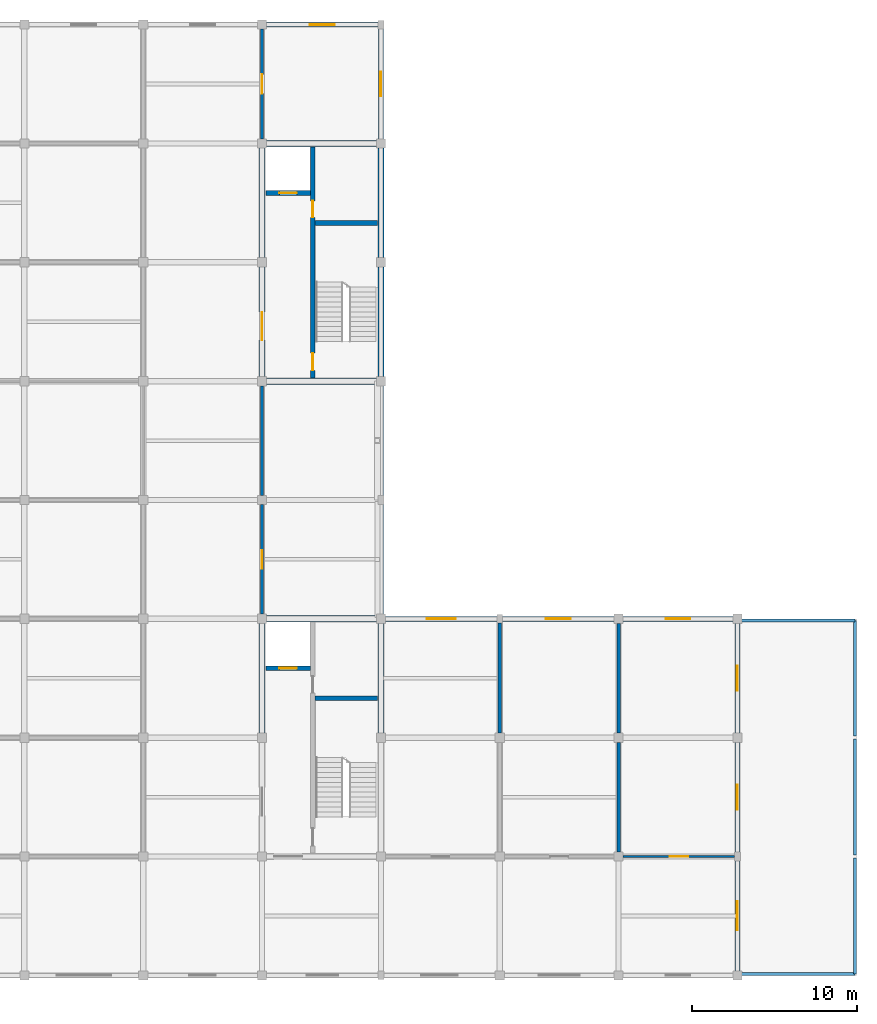
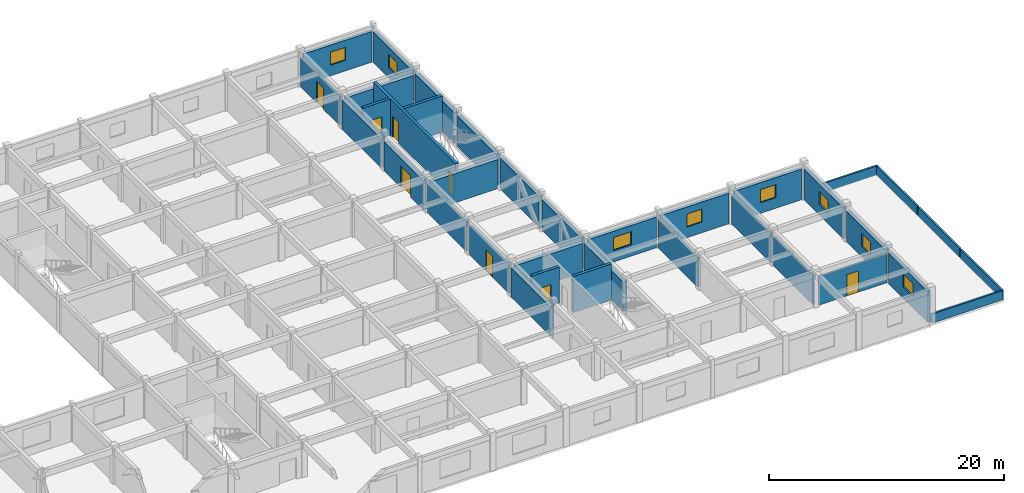
# One storey, part 8 of 10: 36 walls, 8 doors, 8 windows, 16 openings.
"""IFC4 building model written with IfcOpenShell, lengths in metres."""

from ifc_helpers import new_model, si_unit, direction, frame, frame_2d, origin, place, context, subcontext, project, spatial, rectangle, extrude, material, layer, layer_set, type_object, element, fill, save


model = new_model("IFC4")

# Units and contexts
model_context = context("Model", 3, precision=1e-05, world=origin(), true_north=direction((0.0, 1.0)))
body_context = subcontext(model_context, "Body", "Model", "MODEL_VIEW")
ifc_project = project(units=[si_unit("LENGTHUNIT", "METRE"), si_unit("AREAUNIT", "SQUARE_METRE"), si_unit("VOLUMEUNIT", "CUBIC_METRE"), si_unit("PLANEANGLEUNIT", "RADIAN"), si_unit("MASSUNIT", "GRAM", prefix="KILO")], contexts=[model_context])

# Site, building, storey
site_placement = place(None, origin())
site = spatial("IfcSite", under=ifc_project, at=site_placement, CompositionType="ELEMENT")
building_placement = place(site_placement, origin())
building = spatial("IfcBuilding", under=site, at=building_placement, Name="Cendaluz Park School", CompositionType="ELEMENT")
storey_placement = place(building_placement, frame((0.0, 0.0, 34.800048828125)))
storey = spatial("IfcBuildingStorey", under=building, at=storey_placement, Name="L08", CompositionType="ELEMENT", Elevation=34.800048828125)

# Walls
ifc_material_1 = material(Name="Gypsum Plasterboard on Cold-Formed Stud", Category="gypsum")
ifc_layer_1 = layer(ifc_material_1, 0.199951171875)
ifc_layer_set_1 = layer_set([ifc_layer_1], Name="Gypsum Plasterboard on Cold-Formed Stud")
wall_type_1 = type_object("IfcWallType", Name="W-AC20", PredefinedType="PARTITIONING", material=ifc_layer_set_1)
wall_1_placement = place(storey_placement, frame((115.199951171875, 21.8798828125, 0.0), z_axis=(0.0, 0.0, 1.0), x_axis=(0.0, 1.0, 0.0)))
element("IfcWall", 1, at=wall_1_placement, inside=storey, type_object=wall_type_1, Name="WL-FI-BN1", PredefinedType="PARTITIONING", context=body_context, shape_type="SweptSolid", body=[
    extrude(rectangle(XDim=6.66015625, YDim=0.199951171875, at=frame_2d((3.330078125, 0.0))), origin(), (0.0, 0.0, 1.0), 3.030029296875),
])
for number, where, z_axis, x_axis, name in (
    (2, (122.39990234375, 14.679931640625, 0.0), (0.0, 0.0, 1.0), (0.0, 1.0, 0.0), "WL-FI-BN3"),
    (3, (122.39990234375, 21.8798828125, 0.0), (0.0, 0.0, 1.0), (0.0, 1.0, 0.0), "WL-FI-BN4"),
):
    element("IfcWall", number, at=place(storey_placement, frame(where, z_axis=z_axis, x_axis=x_axis)), inside=storey, type_object=wall_type_1, Name=name, PredefinedType="PARTITIONING", context=body_context, shape_type="SweptSolid", body=[
        extrude(rectangle(XDim=6.64013671875, YDim=0.199951171875, at=frame_2d((3.320068359375, 0.0))), origin(), (0.0, 0.0, 1.0), 3.030029296875),
    ])

# Wall, opening, door
wall_2_placement = place(storey_placement, frame((100.800048828125, 29.080078125, 0.0), z_axis=(0.0, 0.0, 1.0), x_axis=(0.0, 1.0, 0.0)))
wall_2 = element("IfcWall", 4, at=wall_2_placement, inside=storey, type_object=wall_type_1, Name="WL-FI-BQ7", PredefinedType="PARTITIONING", context=body_context, shape_type="SweptSolid", body=[
    extrude(rectangle(XDim=6.639892578125, YDim=0.199951171875, at=frame_2d((3.31982421875, 0.0))), origin(), (0.0, 0.0, 1.0), 3.030029296875),
])
opening_1_placement = place(wall_2_placement, frame((2.760009765625, 0.0, 0.0)))
opening_1 = element("IfcOpeningElement", 5, at=opening_1_placement, cuts=wall_2, Name="Opening DCL-06", PredefinedType="OPENING", context=body_context, shape_type="SweptSolid", body=[
    extrude(rectangle(XDim=1.1201171875, YDim=2.199951171875, at=frame_2d((0.56005859375, 1.10009765625))), frame((0.0, 0.112060546875, 0.0), z_axis=(0.0, -1.0, 0.0), x_axis=(1.0, 0.0, 0.0)), (0.0, 0.0, 1.0), 0.223876953125),
])
ifc_material_2 = material(Name="Solid Core Hardwood", Category="wood")
door_type_1 = type_object("IfcDoorType", Name="DCL-06", OperationType="NOTDEFINED", PredefinedType="DOOR", material=ifc_material_2)
door_1_placement = place(opening_1_placement, frame((1.1201171875, 0.0, 0.0), z_axis=(0.0, 0.0, 1.0), x_axis=(-1.0, 0.0, 0.0)))
door_1 = element("IfcDoor", 6, at=door_1_placement, inside=storey, type_object=door_type_1, Name="D-L08-035", OperationType="SINGLE_SWING_RIGHT", OverallHeight=2.199951171875, OverallWidth=1.1201171875, PredefinedType="DOOR", context=body_context, shape_type="SweptSolid", body=[
    extrude(rectangle(XDim=1.1201171875, YDim=2.199951171875, at=frame_2d((0.56005859375, 1.10009765625))), frame((0.0, 0.02490234375, 0.0), z_axis=(0.0, -1.0, 0.0), x_axis=(1.0, 0.0, 0.0)), (0.0, 0.0, 1.0), 0.050048828125),
])
fill(opening_1, door_1)

# Wall
wall_3_placement = place(storey_placement, frame((100.800048828125, 36.280029296875, 0.0), z_axis=(0.0, 0.0, 1.0), x_axis=(0.0, 1.0, 0.0)))
element("IfcWall", 7, at=wall_3_placement, inside=storey, type_object=wall_type_1, Name="WL-FI-BQ8", PredefinedType="PARTITIONING", context=body_context, shape_type="SweptSolid", body=[
    extrude(rectangle(XDim=6.639892578125, YDim=0.199951171875, at=frame_2d((3.31982421875, 0.0))), origin(), (0.0, 0.0, 1.0), 3.030029296875),
])

# Wall, opening, door
wall_4_placement = place(storey_placement, frame((100.800048828125, 57.8798828125, 0.0), z_axis=(0.0, 0.0, 1.0), x_axis=(0.0, 1.0, 0.0)))
wall_4 = element("IfcWall", 8, at=wall_4_placement, inside=storey, type_object=wall_type_1, Name="WL-FI-BQ9", PredefinedType="PARTITIONING", context=body_context, shape_type="SweptSolid", body=[
    extrude(rectangle(XDim=6.64013671875, YDim=0.199951171875, at=frame_2d((3.320068359375, 0.0))), origin(), (0.0, 0.0, 1.0), 3.030029296875),
])
opening_2_placement = place(wall_4_placement, frame((2.739990234375, 0.0, 0.0)))
opening_2 = element("IfcOpeningElement", 9, at=opening_2_placement, cuts=wall_4, Name="Opening DCL-07", PredefinedType="OPENING", context=body_context, shape_type="SweptSolid", body=[
    extrude(rectangle(XDim=1.159912109375, YDim=2.219970703125, at=frame_2d((0.580078125, 1.10986328125))), frame((0.0, 0.112060546875, 0.0), z_axis=(0.0, -1.0, 0.0), x_axis=(1.0, 0.0, 0.0)), (0.0, 0.0, 1.0), 0.223876953125),
])
door_type_2 = type_object("IfcDoorType", Name="DCL-07", OperationType="NOTDEFINED", PredefinedType="DOOR", material=ifc_material_2)
door_2_placement = place(opening_2_placement, frame((1.159912109375, 0.0, 0.0), z_axis=(0.0, 0.0, 1.0), x_axis=(-1.0, 0.0, 0.0)))
door_2 = element("IfcDoor", 10, at=door_2_placement, inside=storey, type_object=door_type_2, Name="D-L08-036", OperationType="SINGLE_SWING_LEFT", OverallHeight=2.219970703125, OverallWidth=1.159912109375, PredefinedType="DOOR", context=body_context, shape_type="SweptSolid", body=[
    extrude(rectangle(XDim=1.159912109375, YDim=2.219970703125, at=frame_2d((0.580078125, 1.10986328125))), frame((0.0, 0.02490234375, 0.0), z_axis=(0.0, -1.0, 0.0), x_axis=(1.0, 0.0, 0.0)), (0.0, 0.0, 1.0), 0.050048828125),
])
fill(opening_2, door_2)

# Walls
ifc_material_3 = material(Name="Cross-laminated timber CLT C24", Category="wood")
ifc_layer_2 = layer(ifc_material_3, 0.300048828125)
ifc_layer_set_2 = layer_set([ifc_layer_2], Name="Cross-laminated timber CLT C24")
wall_type_2 = type_object("IfcWallType", Name="W-EX30", PredefinedType="SOLIDWALL", material=ifc_layer_set_2)
for number, where, z_axis, x_axis, name in (
    (11, (108.0, 29.080078125, 0.0), (0.0, 0.0, 1.0), (0.0, 1.0, 0.0), "WL-FI-AC5"),
    (12, (108.0, 36.260009765625, 0.0), (0.0, 0.0, 1.0), (0.0, 1.0, 0.0), "WL-FI-AC6"),
):
    element("IfcWall", number, at=place(storey_placement, frame(where, z_axis=z_axis, x_axis=x_axis)), inside=storey, type_object=wall_type_2, Name=name, PredefinedType="SOLIDWALL", context=body_context, shape_type="SweptSolid", body=[
        extrude(rectangle(XDim=6.659912109375, YDim=0.300048828125, at=frame_2d((3.330078125, 0.0))), origin(), (0.0, 0.0, 1.0), 3.18994140625),
    ])

# Wall, opening, window
wall_5_placement = place(storey_placement, frame((101.080078125, 64.800048828125, 0.0), z_axis=(0.0, 0.0, 1.0), x_axis=(1.0, 0.0, 0.0)))
wall_5 = element("IfcWall", 13, at=wall_5_placement, inside=storey, type_object=wall_type_2, Name="WL-FI-AC7", PredefinedType="SOLIDWALL", context=body_context, shape_type="SweptSolid", body=[
    extrude(rectangle(XDim=6.739990234375, YDim=0.300048828125, at=frame_2d((3.3701171875, 0.0))), origin(), (0.0, 0.0, 1.0), 3.18994140625),
])
opening_3_placement = place(wall_5_placement, frame((2.6201171875, 0.0, 1.10009765625)))
opening_3 = element("IfcOpeningElement", 14, at=opening_3_placement, cuts=wall_5, Name="Opening WN-20", PredefinedType="OPENING", context=body_context, shape_type="SweptSolid", body=[
    extrude(rectangle(XDim=1.5, YDim=1.35009765625, at=frame_2d((0.75, 0.675048828125))), frame((0.0, 0.162109375, 0.0), z_axis=(0.0, -1.0, 0.0), x_axis=(1.0, 0.0, 0.0)), (0.0, 0.0, 1.0), 0.323974609375),
])
ifc_material_4 = material(Name="Tempered Low-E Double Glazing", Category="glass")
window_type_1 = type_object("IfcWindowType", Name="WN-20", PartitioningType="SINGLE_PANEL", PredefinedType="WINDOW", material=ifc_material_4)
window_1_placement = place(opening_3_placement, origin())
window_1 = element("IfcWindow", 15, at=window_1_placement, inside=storey, type_object=window_type_1, Name="WN-L08-024", OverallHeight=1.35009765625, OverallWidth=1.5, PartitioningType="SINGLE_PANEL", PredefinedType="WINDOW", context=body_context, shape_type="SweptSolid", body=[
    extrude(rectangle(XDim=1.5, YDim=1.35009765625, at=frame_2d((0.75, 0.675048828125))), frame((0.0, 0.030029296875, 0.0), z_axis=(0.0, -1.0, 0.0), x_axis=(1.0, 0.0, 0.0)), (0.0, 0.0, 1.0), 0.06005859375),
])
fill(opening_3, window_1)

wall_6_placement = place(storey_placement, frame((108.0, 57.8798828125, 0.0), z_axis=(0.0, 0.0, 1.0), x_axis=(0.0, 1.0, 0.0)))
wall_6 = element("IfcWall", 16, at=wall_6_placement, inside=storey, type_object=wall_type_2, Name="WL-FI-AC8", PredefinedType="SOLIDWALL", context=body_context, shape_type="SweptSolid", body=[
    extrude(rectangle(XDim=6.66015625, YDim=0.300048828125, at=frame_2d((3.330078125, 0.0))), origin(), (0.0, 0.0, 1.0), 3.18994140625),
])
opening_4_placement = place(wall_6_placement, frame((2.580078125, 0.0, 1.10009765625)))
opening_4 = element("IfcOpeningElement", 17, at=opening_4_placement, cuts=wall_6, Name="Opening WN-20", PredefinedType="OPENING", context=body_context, shape_type="SweptSolid", body=[
    extrude(rectangle(XDim=1.5, YDim=1.35009765625, at=frame_2d((0.75, 0.675048828125))), frame((0.0, 0.162109375, 0.0), z_axis=(0.0, -1.0, 0.0), x_axis=(1.0, 0.0, 0.0)), (0.0, 0.0, 1.0), 0.323974609375),
])
window_2_placement = place(opening_4_placement, origin())
window_2 = element("IfcWindow", 18, at=window_2_placement, inside=storey, type_object=window_type_1, Name="WN-L08-025", OverallHeight=1.35009765625, OverallWidth=1.5, PartitioningType="SINGLE_PANEL", PredefinedType="WINDOW", context=body_context, shape_type="SweptSolid", body=[
    extrude(rectangle(XDim=1.5, YDim=1.35009765625, at=frame_2d((0.75, 0.675048828125))), frame((0.0, 0.030029296875, 0.0), z_axis=(0.0, -1.0, 0.0), x_axis=(1.0, 0.0, 0.0)), (0.0, 0.0, 1.0), 0.06005859375),
])
fill(opening_4, window_2)

wall_7_placement = place(storey_placement, frame((108.280029296875, 28.800048828125, 0.0), z_axis=(0.0, 0.0, 1.0), x_axis=(1.0, 0.0, 0.0)))
wall_7 = element("IfcWall", 19, at=wall_7_placement, inside=storey, type_object=wall_type_2, Name="WL-FI-AD0", PredefinedType="SOLIDWALL", context=body_context, shape_type="SweptSolid", body=[
    extrude(rectangle(XDim=6.739990234375, YDim=0.300048828125, at=frame_2d((3.3701171875, 0.0))), origin(), (0.0, 0.0, 1.0), 3.18994140625),
])
opening_5_placement = place(wall_7_placement, frame((2.4951171875, 0.0, 1.199951171875)))
opening_5 = element("IfcOpeningElement", 20, at=opening_5_placement, cuts=wall_7, Name="Opening WN-21", PredefinedType="OPENING", context=body_context, shape_type="SweptSolid", body=[
    extrude(rectangle(XDim=1.75, YDim=1.35009765625, at=frame_2d((0.875, 0.675048828125))), frame((0.0, 0.162109375, 0.0), z_axis=(0.0, -1.0, 0.0), x_axis=(1.0, 0.0, 0.0)), (0.0, 0.0, 1.0), 0.323974609375),
])
window_type_2 = type_object("IfcWindowType", Name="WN-21", PartitioningType="SINGLE_PANEL", PredefinedType="WINDOW", material=ifc_material_4)
window_3_placement = place(opening_5_placement, origin())
window_3 = element("IfcWindow", 21, at=window_3_placement, inside=storey, type_object=window_type_2, Name="WN-L08-027", OverallHeight=1.35009765625, OverallWidth=1.75, PartitioningType="SINGLE_PANEL", PredefinedType="WINDOW", context=body_context, shape_type="SweptSolid", body=[
    extrude(rectangle(XDim=1.75, YDim=1.35009765625, at=frame_2d((0.875, 0.675048828125))), frame((0.0, 0.030029296875, 0.0), z_axis=(0.0, -1.0, 0.0), x_axis=(1.0, 0.0, 0.0)), (0.0, 0.0, 1.0), 0.06005859375),
])
fill(opening_5, window_3)

wall_8_placement = place(storey_placement, frame((115.3798828125, 28.800048828125, 0.0), z_axis=(0.0, 0.0, 1.0), x_axis=(1.0, 0.0, 0.0)))
wall_8 = element("IfcWall", 22, at=wall_8_placement, inside=storey, type_object=wall_type_2, Name="WL-FI-AD2", PredefinedType="SOLIDWALL", context=body_context, shape_type="SweptSolid", body=[
    extrude(rectangle(XDim=6.740234375, YDim=0.300048828125, at=frame_2d((3.3701171875, 0.0))), origin(), (0.0, 0.0, 1.0), 3.18994140625),
])
opening_6_placement = place(wall_8_placement, frame((2.6201171875, 0.0, 1.10009765625)))
opening_6 = element("IfcOpeningElement", 23, at=opening_6_placement, cuts=wall_8, Name="Opening WN-20", PredefinedType="OPENING", context=body_context, shape_type="SweptSolid", body=[
    extrude(rectangle(XDim=1.5, YDim=1.35009765625, at=frame_2d((0.75, 0.675048828125))), frame((0.0, 0.162109375, 0.0), z_axis=(0.0, -1.0, 0.0), x_axis=(1.0, 0.0, 0.0)), (0.0, 0.0, 1.0), 0.323974609375),
])
window_4_placement = place(opening_6_placement, origin())
window_4 = element("IfcWindow", 24, at=window_4_placement, inside=storey, type_object=window_type_1, Name="WN-L08-029", OverallHeight=1.35009765625, OverallWidth=1.5, PartitioningType="SINGLE_PANEL", PredefinedType="WINDOW", context=body_context, shape_type="SweptSolid", body=[
    extrude(rectangle(XDim=1.5, YDim=1.35009765625, at=frame_2d((0.75, 0.675048828125))), frame((0.0, 0.030029296875, 0.0), z_axis=(0.0, -1.0, 0.0), x_axis=(1.0, 0.0, 0.0)), (0.0, 0.0, 1.0), 0.06005859375),
])
fill(opening_6, window_4)

wall_9_placement = place(storey_placement, frame((129.60009765625, 7.47998046875, 0.0), z_axis=(0.0, 0.0, 1.0), x_axis=(0.0, 1.0, 0.0)))
wall_9 = element("IfcWall", 25, at=wall_9_placement, inside=storey, type_object=wall_type_2, Name="WL-FI-AD4", PredefinedType="SOLIDWALL", context=body_context, shape_type="SweptSolid", body=[
    extrude(rectangle(XDim=6.659912109375, YDim=0.300048828125, at=frame_2d((3.330078125, 0.0))), origin(), (0.0, 0.0, 1.0), 3.18994140625),
])
opening_7_placement = place(wall_9_placement, frame((2.455078125, 0.0, 1.199951171875)))
opening_7 = element("IfcOpeningElement", 26, at=opening_7_placement, cuts=wall_9, Name="Opening WN-21", PredefinedType="OPENING", context=body_context, shape_type="SweptSolid", body=[
    extrude(rectangle(XDim=1.75, YDim=1.35009765625, at=frame_2d((0.875, 0.675048828125))), frame((0.0, 0.162109375, 0.0), z_axis=(0.0, -1.0, 0.0), x_axis=(1.0, 0.0, 0.0)), (0.0, 0.0, 1.0), 0.323974609375),
])
window_5_placement = place(opening_7_placement, origin())
window_5 = element("IfcWindow", 27, at=window_5_placement, inside=storey, type_object=window_type_2, Name="WN-L08-031", OverallHeight=1.35009765625, OverallWidth=1.75, PartitioningType="SINGLE_PANEL", PredefinedType="WINDOW", context=body_context, shape_type="SweptSolid", body=[
    extrude(rectangle(XDim=1.75, YDim=1.35009765625, at=frame_2d((0.875, 0.675048828125))), frame((0.0, 0.030029296875, 0.0), z_axis=(0.0, -1.0, 0.0), x_axis=(1.0, 0.0, 0.0)), (0.0, 0.0, 1.0), 0.06005859375),
])
fill(opening_7, window_5)

wall_10_placement = place(storey_placement, frame((129.60009765625, 14.659912109375, 0.0), z_axis=(0.0, 0.0, 1.0), x_axis=(0.0, 1.0, 0.0)))
wall_10 = element("IfcWall", 28, at=wall_10_placement, inside=storey, type_object=wall_type_2, Name="WL-FI-AD5", PredefinedType="SOLIDWALL", context=body_context, shape_type="SweptSolid", body=[
    extrude(rectangle(XDim=6.66015625, YDim=0.300048828125, at=frame_2d((3.330078125, 0.0))), origin(), (0.0, 0.0, 1.0), 3.18994140625),
])
opening_8_placement = place(wall_10_placement, frame((2.580078125, 0.0, 1.10009765625)))
opening_8 = element("IfcOpeningElement", 29, at=opening_8_placement, cuts=wall_10, Name="Opening WN-20", PredefinedType="OPENING", context=body_context, shape_type="SweptSolid", body=[
    extrude(rectangle(XDim=1.5, YDim=1.35009765625, at=frame_2d((0.75, 0.675048828125))), frame((0.0, 0.162109375, 0.0), z_axis=(0.0, -1.0, 0.0), x_axis=(1.0, 0.0, 0.0)), (0.0, 0.0, 1.0), 0.323974609375),
])
window_6_placement = place(opening_8_placement, origin())
window_6 = element("IfcWindow", 30, at=window_6_placement, inside=storey, type_object=window_type_1, Name="WN-L08-032", OverallHeight=1.35009765625, OverallWidth=1.5, PartitioningType="SINGLE_PANEL", PredefinedType="WINDOW", context=body_context, shape_type="SweptSolid", body=[
    extrude(rectangle(XDim=1.5, YDim=1.35009765625, at=frame_2d((0.75, 0.675048828125))), frame((0.0, 0.030029296875, 0.0), z_axis=(0.0, -1.0, 0.0), x_axis=(1.0, 0.0, 0.0)), (0.0, 0.0, 1.0), 0.06005859375),
])
fill(opening_8, window_6)

wall_11_placement = place(storey_placement, frame((122.679931640625, 28.800048828125, 0.0), z_axis=(0.0, 0.0, 1.0), x_axis=(1.0, 0.0, 0.0)))
wall_11 = element("IfcWall", 31, at=wall_11_placement, inside=storey, type_object=wall_type_2, Name="WL-FI-AD6", PredefinedType="SOLIDWALL", context=body_context, shape_type="SweptSolid", body=[
    extrude(rectangle(XDim=6.64013671875, YDim=0.300048828125, at=frame_2d((3.320068359375, 0.0))), origin(), (0.0, 0.0, 1.0), 3.18994140625),
])
opening_9_placement = place(wall_11_placement, frame((2.570068359375, 0.0, 1.10009765625)))
opening_9 = element("IfcOpeningElement", 32, at=opening_9_placement, cuts=wall_11, Name="Opening WN-20", PredefinedType="OPENING", context=body_context, shape_type="SweptSolid", body=[
    extrude(rectangle(XDim=1.5, YDim=1.35009765625, at=frame_2d((0.75, 0.675048828125))), frame((0.0, 0.162109375, 0.0), z_axis=(0.0, -1.0, 0.0), x_axis=(1.0, 0.0, 0.0)), (0.0, 0.0, 1.0), 0.323974609375),
])
window_7_placement = place(opening_9_placement, origin())
window_7 = element("IfcWindow", 33, at=window_7_placement, inside=storey, type_object=window_type_1, Name="WN-L08-033", OverallHeight=1.35009765625, OverallWidth=1.5, PartitioningType="SINGLE_PANEL", PredefinedType="WINDOW", context=body_context, shape_type="SweptSolid", body=[
    extrude(rectangle(XDim=1.5, YDim=1.35009765625, at=frame_2d((0.75, 0.675048828125))), frame((0.0, 0.030029296875, 0.0), z_axis=(0.0, -1.0, 0.0), x_axis=(1.0, 0.0, 0.0)), (0.0, 0.0, 1.0), 0.06005859375),
])
fill(opening_9, window_7)

wall_12_placement = place(storey_placement, frame((129.60009765625, 21.8798828125, 0.0), z_axis=(0.0, 0.0, 1.0), x_axis=(0.0, 1.0, 0.0)))
wall_12 = element("IfcWall", 34, at=wall_12_placement, inside=storey, type_object=wall_type_2, Name="WL-FI-AD7", PredefinedType="SOLIDWALL", context=body_context, shape_type="SweptSolid", body=[
    extrude(rectangle(XDim=6.64013671875, YDim=0.300048828125, at=frame_2d((3.320068359375, 0.0))), origin(), (0.0, 0.0, 1.0), 3.18994140625),
])
opening_10_placement = place(wall_12_placement, frame((2.570068359375, 0.0, 1.10009765625)))
opening_10 = element("IfcOpeningElement", 35, at=opening_10_placement, cuts=wall_12, Name="Opening WN-20", PredefinedType="OPENING", context=body_context, shape_type="SweptSolid", body=[
    extrude(rectangle(XDim=1.5, YDim=1.35009765625, at=frame_2d((0.75, 0.675048828125))), frame((0.0, 0.162109375, 0.0), z_axis=(0.0, -1.0, 0.0), x_axis=(1.0, 0.0, 0.0)), (0.0, 0.0, 1.0), 0.323974609375),
])
window_8_placement = place(opening_10_placement, origin())
window_8 = element("IfcWindow", 36, at=window_8_placement, inside=storey, type_object=window_type_1, Name="WN-L08-034", OverallHeight=1.35009765625, OverallWidth=1.5, PartitioningType="SINGLE_PANEL", PredefinedType="WINDOW", context=body_context, shape_type="SweptSolid", body=[
    extrude(rectangle(XDim=1.5, YDim=1.35009765625, at=frame_2d((0.75, 0.675048828125))), frame((0.0, 0.030029296875, 0.0), z_axis=(0.0, -1.0, 0.0), x_axis=(1.0, 0.0, 0.0)), (0.0, 0.0, 1.0), 0.06005859375),
])
fill(opening_10, window_8)

# Wall
ifc_material_5 = material(Name="Concrete C40/50", Category="concrete")
ifc_layer_3 = layer(ifc_material_5, 0.280029296875)
ifc_layer_set_3 = layer_set([ifc_layer_3], Name="Concrete C40/50")
wall_type_3 = type_object("IfcWallType", Name="W-FW28", PredefinedType="SHEAR", material=ifc_layer_set_3)
wall_13_placement = place(storey_placement, frame((104.02001953125, 23.97998046875, 0.0), z_axis=(0.0, 0.0, 1.0), x_axis=(1.0, 0.0, 0.0)))
element("IfcWall", 37, at=wall_13_placement, inside=storey, type_object=wall_type_3, Name="WL-FI-BJ9", PredefinedType="SHEAR", context=body_context, shape_type="SweptSolid", body=[
    extrude(rectangle(XDim=3.780029296875, YDim=0.280029296875, at=frame_2d((1.89013671875, 0.0))), origin(), (0.0, 0.0, 1.0), 3.760009765625),
])

# Wall, opening, door
wall_14_placement = place(storey_placement, frame((101.0400390625, 25.800048828125, 0.0), z_axis=(0.0, 0.0, 1.0), x_axis=(1.0, 0.0, 0.0)))
wall_14 = element("IfcWall", 38, at=wall_14_placement, inside=storey, type_object=wall_type_3, Name="WL-FI-BK0", PredefinedType="SHEAR", context=body_context, shape_type="SweptSolid", body=[
    extrude(rectangle(XDim=2.679931640625, YDim=0.280029296875, at=frame_2d((1.33984375, 0.0))), origin(), (0.0, 0.0, 1.0), 3.760009765625),
])
opening_11_placement = place(wall_14_placement, frame((0.81494140625, 0.0, 0.0)))
opening_11 = element("IfcOpeningElement", 39, at=opening_11_placement, cuts=wall_14, Name="Opening LD-02", PredefinedType="OPENING", context=body_context, shape_type="SweptSolid", body=[
    extrude(rectangle(XDim=1.050048828125, YDim=2.199951171875, at=frame_2d((0.52490234375, 1.10009765625))), frame((0.0, 0.152099609375, 0.0), z_axis=(0.0, -1.0, 0.0), x_axis=(1.0, 0.0, 0.0)), (0.0, 0.0, 1.0), 0.303955078125),
])
ifc_material_6 = material(Name="Stainless Steel 316L", Category="steel")
door_type_3 = type_object("IfcDoorType", Name="LD-02", OperationType="DOUBLE_DOOR_SLIDING", PredefinedType="DOOR", material=ifc_material_6)
door_3_placement = place(opening_11_placement, frame((1.050048828125, 0.0, 0.0), z_axis=(0.0, 0.0, 1.0), x_axis=(-1.0, 0.0, 0.0)))
door_3 = element("IfcDoor", 40, at=door_3_placement, inside=storey, type_object=door_type_3, Name="D-L08-010", OperationType="DOUBLE_DOOR_SLIDING", OverallHeight=2.199951171875, OverallWidth=1.050048828125, PredefinedType="DOOR", context=body_context, shape_type="SweptSolid", body=[
    extrude(rectangle(XDim=1.050048828125, YDim=2.199951171875, at=frame_2d((0.52490234375, 1.10009765625))), frame((0.0, 0.02490234375, 0.0), z_axis=(0.0, -1.0, 0.0), x_axis=(1.0, 0.0, 0.0)), (0.0, 0.0, 1.0), 0.050048828125),
])
fill(opening_11, door_3)

# Wall, openings, doors
wall_15_placement = place(storey_placement, frame((103.8798828125, 43.39990234375, 0.0), z_axis=(0.0, 0.0, 1.0), x_axis=(0.0, 1.0, 0.0)))
wall_15 = element("IfcWall", 41, at=wall_15_placement, inside=storey, type_object=wall_type_3, Name="WL-FI-BL6", PredefinedType="SHEAR", context=body_context, shape_type="SweptSolid", body=[
    extrude(rectangle(XDim=14.0, YDim=0.280029296875, at=frame_2d((7.0, 0.0))), origin(), (0.0, 0.0, 1.0), 3.760009765625),
])
opening_12_placement = place(wall_15_placement, frame((0.449951171875, 0.0, 0.0)))
opening_12 = element("IfcOpeningElement", 42, at=opening_12_placement, cuts=wall_15, Name="Opening DST-02", PredefinedType="OPENING", context=body_context, shape_type="SweptSolid", body=[
    extrude(rectangle(XDim=1.050048828125, YDim=2.14990234375, at=frame_2d((0.52490234375, 1.074951171875))), frame((0.0, 0.152099609375, 0.0), z_axis=(0.0, -1.0, 0.0), x_axis=(1.0, 0.0, 0.0)), (0.0, 0.0, 1.0), 0.303955078125),
])
opening_13_placement = place(wall_15_placement, frame((9.719970703125, 0.0, 0.0)))
opening_13 = element("IfcOpeningElement", 43, at=opening_13_placement, cuts=wall_15, Name="Opening DFC-01", PredefinedType="OPENING", context=body_context, shape_type="SweptSolid", body=[
    extrude(rectangle(XDim=1.0, YDim=2.14990234375, at=frame_2d((0.5, 1.074951171875))), frame((0.0, 0.152099609375, 0.0), z_axis=(0.0, -1.0, 0.0), x_axis=(1.0, 0.0, 0.0)), (0.0, 0.0, 1.0), 0.303955078125),
])
door_type_4 = type_object("IfcDoorType", Name="DFC-01", OperationType="NOTDEFINED", PredefinedType="DOOR", material=ifc_material_2)
door_4_placement = place(opening_13_placement, frame((1.0, 0.0, 0.0), z_axis=(0.0, 0.0, 1.0), x_axis=(-1.0, 0.0, 0.0)))
door_4 = element("IfcDoor", 44, at=door_4_placement, inside=storey, type_object=door_type_4, Name="D-L08-017", OperationType="SINGLE_SWING_RIGHT", OverallHeight=2.14990234375, OverallWidth=1.0, PredefinedType="DOOR", context=body_context, shape_type="SweptSolid", body=[
    extrude(rectangle(XDim=1.0, YDim=2.14990234375, at=frame_2d((0.5, 1.074951171875))), frame((0.0, 0.02490234375, 0.0), z_axis=(0.0, -1.0, 0.0), x_axis=(1.0, 0.0, 0.0)), (0.0, 0.0, 1.0), 0.050048828125),
])
fill(opening_13, door_4)
door_type_5 = type_object("IfcDoorType", Name="DST-02", OperationType="NOTDEFINED", PredefinedType="DOOR", material=ifc_material_2)
door_5_placement = place(opening_12_placement, frame((1.050048828125, 0.0, 0.0), z_axis=(0.0, 0.0, 1.0), x_axis=(-1.0, 0.0, 0.0)))
door_5 = element("IfcDoor", 45, at=door_5_placement, inside=storey, type_object=door_type_5, Name="D-L08-016", OperationType="SINGLE_SWING_RIGHT", OverallHeight=2.14990234375, OverallWidth=1.050048828125, PredefinedType="DOOR", context=body_context, shape_type="SweptSolid", body=[
    extrude(rectangle(XDim=1.050048828125, YDim=2.14990234375, at=frame_2d((0.52490234375, 1.074951171875))), frame((0.0, 0.02490234375, 0.0), z_axis=(0.0, -1.0, 0.0), x_axis=(1.0, 0.0, 0.0)), (0.0, 0.0, 1.0), 0.050048828125),
])
fill(opening_12, door_5)

# Wall
wall_16_placement = place(storey_placement, frame((104.02001953125, 52.780029296875, 0.0), z_axis=(0.0, 0.0, 1.0), x_axis=(1.0, 0.0, 0.0)))
element("IfcWall", 46, at=wall_16_placement, inside=storey, type_object=wall_type_3, Name="WL-FI-BL7", PredefinedType="SHEAR", context=body_context, shape_type="SweptSolid", body=[
    extrude(rectangle(XDim=3.780029296875, YDim=0.280029296875, at=frame_2d((1.89013671875, 0.0))), origin(), (0.0, 0.0, 1.0), 3.760009765625),
])

# Wall, opening, door
wall_17_placement = place(storey_placement, frame((101.0400390625, 54.60009765625, 0.0), z_axis=(0.0, 0.0, 1.0), x_axis=(1.0, 0.0, 0.0)))
wall_17 = element("IfcWall", 47, at=wall_17_placement, inside=storey, type_object=wall_type_3, Name="WL-FI-BL8", PredefinedType="SHEAR", context=body_context, shape_type="SweptSolid", body=[
    extrude(rectangle(XDim=2.679931640625, YDim=0.280029296875, at=frame_2d((1.33984375, 0.0))), origin(), (0.0, 0.0, 1.0), 3.760009765625),
])
opening_14_placement = place(wall_17_placement, frame((0.81494140625, 0.0, 0.0)))
opening_14 = element("IfcOpeningElement", 48, at=opening_14_placement, cuts=wall_17, Name="Opening LD-02", PredefinedType="OPENING", context=body_context, shape_type="SweptSolid", body=[
    extrude(rectangle(XDim=1.050048828125, YDim=2.199951171875, at=frame_2d((0.52490234375, 1.10009765625))), frame((0.0, 0.152099609375, 0.0), z_axis=(0.0, -1.0, 0.0), x_axis=(1.0, 0.0, 0.0)), (0.0, 0.0, 1.0), 0.303955078125),
])
door_6_placement = place(opening_14_placement, frame((1.050048828125, 0.0, 0.0), z_axis=(0.0, 0.0, 1.0), x_axis=(-1.0, 0.0, 0.0)))
door_6 = element("IfcDoor", 49, at=door_6_placement, inside=storey, type_object=door_type_3, Name="D-L08-018", OperationType="DOUBLE_DOOR_SLIDING", OverallHeight=2.199951171875, OverallWidth=1.050048828125, PredefinedType="DOOR", context=body_context, shape_type="SweptSolid", body=[
    extrude(rectangle(XDim=1.050048828125, YDim=2.199951171875, at=frame_2d((0.52490234375, 1.10009765625))), frame((0.0, 0.02490234375, 0.0), z_axis=(0.0, -1.0, 0.0), x_axis=(1.0, 0.0, 0.0)), (0.0, 0.0, 1.0), 0.050048828125),
])
fill(opening_14, door_6)

ifc_layer_4 = layer(ifc_material_1, 0.1201171875)
ifc_layer_set_4 = layer_set([ifc_layer_4], Name="Gypsum Plasterboard on Cold-Formed Stud")
wall_type_4 = type_object("IfcWallType", Name="W-MV12", PredefinedType="MOVABLE", material=ifc_layer_set_4)
wall_18_placement = place(storey_placement, frame((122.679931640625, 14.39990234375, 0.0), z_axis=(0.0, 0.0, 1.0), x_axis=(1.0, 0.0, 0.0)))
wall_18 = element("IfcWall", 50, at=wall_18_placement, inside=storey, type_object=wall_type_4, Name="WL-FI-BN5", PredefinedType="MOVABLE", context=body_context, shape_type="SweptSolid", body=[
    extrude(rectangle(XDim=6.739990234375, YDim=0.1201171875, at=frame_2d((3.3701171875, 0.0))), origin(), (0.0, 0.0, 1.0), 3.030029296875),
])
opening_15_placement = place(wall_18_placement, frame((2.81005859375, 0.0, 0.0)))
opening_15 = element("IfcOpeningElement", 51, at=opening_15_placement, cuts=wall_18, Name="Opening DCL-06", PredefinedType="OPENING", context=body_context, shape_type="SweptSolid", body=[
    extrude(rectangle(XDim=1.1201171875, YDim=2.199951171875, at=frame_2d((0.56005859375, 1.10009765625))), frame((0.0, 0.072021484375, 0.0), z_axis=(0.0, -1.0, 0.0), x_axis=(1.0, 0.0, 0.0)), (0.0, 0.0, 1.0), 0.14404296875),
])
door_7_placement = place(opening_15_placement, origin())
door_7 = element("IfcDoor", 52, at=door_7_placement, inside=storey, type_object=door_type_1, Name="D-L08-025", OperationType="SINGLE_SWING_RIGHT", OverallHeight=2.199951171875, OverallWidth=1.1201171875, PredefinedType="DOOR", context=body_context, shape_type="SweptSolid", body=[
    extrude(rectangle(XDim=1.1201171875, YDim=2.199951171875, at=frame_2d((0.56005859375, 1.10009765625))), frame((0.0, 0.02490234375, 0.0), z_axis=(0.0, -1.0, 0.0), x_axis=(1.0, 0.0, 0.0)), (0.0, 0.0, 1.0), 0.050048828125),
])
fill(opening_15, door_7)

# Walls
ifc_material_7 = material(Name="Concrete C40/50 precast", Category="concrete")
ifc_layer_5 = layer(ifc_material_7, 0.179931640625)
ifc_layer_set_5 = layer_set([ifc_layer_5], Name="Concrete C40/50 precast")
wall_type_5 = type_object("IfcWallType", Name="W-PR18", PredefinedType="PARAPET", material=ifc_layer_set_5)
for number, where, z_axis, x_axis, name in (
    (53, (129.68994140625, 7.2900390625, 0.0), (0.0, 0.0, 1.0), (1.0, 0.0, 0.0), "WL-FI-AD8"),
    (54, (136.7099609375, 7.2900390625, 0.0), (0.0, 0.0, 1.0), (0.0, 1.0, 0.0), "WL-FI-AD9"),
    (55, (136.7099609375, 14.489990234375, 0.0), (0.0, 0.0, 1.0), (0.0, 1.0, 0.0), "WL-FI-AE0"),
    (56, (129.68994140625, 28.7099609375, 0.0), (0.0, 0.0, 1.0), (1.0, 0.0, 0.0), "WL-FI-AE1"),
    (57, (136.7099609375, 21.68994140625, 0.0), (0.0, 0.0, 1.0), (0.0, 1.0, 0.0), "WL-FI-AE2"),
):
    element("IfcWall", number, at=place(storey_placement, frame(where, z_axis=z_axis, x_axis=x_axis)), inside=storey, type_object=wall_type_5, Name=name, PredefinedType="PARAPET", context=body_context, shape_type="SweptSolid", body=[
        extrude(rectangle(XDim=7.02001953125, YDim=0.179931640625, at=frame_2d((3.510009765625, 0.0))), origin(), (0.0, 0.0, 1.0), 0.949951171875),
    ])
ifc_layer_6 = layer(ifc_material_5, 0.3798828125)
ifc_layer_set_6 = layer_set([ifc_layer_6], Name="Concrete C40/50")
wall_type_6 = type_object("IfcWallType", Name="W-SH38", PredefinedType="SHEAR", material=ifc_layer_set_6)
for number, where, z_axis, x_axis, name in (
    (58, (100.800048828125, 21.8798828125, 0.0), (0.0, 0.0, 1.0), (0.0, 1.0, 0.0), "WL-FI-BJ3"),
    (59, (108.0, 21.8798828125, 0.0), (0.0, 0.0, 1.0), (0.0, 1.0, 0.0), "WL-FI-BJ5"),
):
    element("IfcWall", number, at=place(storey_placement, frame(where, z_axis=z_axis, x_axis=x_axis)), inside=storey, type_object=wall_type_6, Name=name, PredefinedType="SHEAR", context=body_context, shape_type="SweptSolid", body=[
        extrude(rectangle(XDim=6.64013671875, YDim=0.3798828125, at=frame_2d((3.320068359375, 0.0))), origin(), (0.0, 0.0, 1.0), 3.030029296875),
    ])
wall_19_placement = place(storey_placement, frame((101.080078125, 28.800048828125, 0.0), z_axis=(0.0, 0.0, 1.0), x_axis=(1.0, 0.0, 0.0)))
element("IfcWall", 60, at=wall_19_placement, inside=storey, type_object=wall_type_6, Name="WL-FI-BJ7", PredefinedType="SHEAR", context=body_context, shape_type="SweptSolid", body=[
    extrude(rectangle(XDim=6.639892578125, YDim=0.3798828125, at=frame_2d((3.31982421875, 0.0))), origin(), (0.0, 0.0, 1.0), 3.030029296875),
])

# Wall, opening, door
wall_20_placement = place(storey_placement, frame((100.800048828125, 43.47998046875, 0.0), z_axis=(0.0, 0.0, 1.0), x_axis=(0.0, 1.0, 0.0)))
wall_20 = element("IfcWall", 61, at=wall_20_placement, inside=storey, type_object=wall_type_6, Name="WL-FI-BL0", PredefinedType="SHEAR", context=body_context, shape_type="SweptSolid", body=[
    extrude(rectangle(XDim=6.64013671875, YDim=0.3798828125, at=frame_2d((3.320068359375, 0.0))), origin(), (0.0, 0.0, 1.0), 3.030029296875),
])
opening_16_placement = place(wall_20_placement, frame((2.199951171875, 0.0, 0.0)))
opening_16 = element("IfcOpeningElement", 62, at=opening_16_placement, cuts=wall_20, Name="Opening DLB-02", PredefinedType="OPENING", context=body_context, shape_type="SweptSolid", body=[
    extrude(rectangle(XDim=1.699951171875, YDim=2.25, at=frame_2d((0.85009765625, 1.125))), frame((0.0, 0.201904296875, 0.0), z_axis=(0.0, -1.0, 0.0), x_axis=(1.0, 0.0, 0.0)), (0.0, 0.0, 1.0), 0.40380859375),
])
door_type_6 = type_object("IfcDoorType", Name="DLB-02", OperationType="DOUBLE_DOOR_SINGLE_SWING", PredefinedType="DOOR", material=ifc_material_2)
door_8_placement = place(opening_16_placement, frame((1.699951171875, 0.0, 0.0), z_axis=(0.0, 0.0, 1.0), x_axis=(-1.0, 0.0, 0.0)))
door_8 = element("IfcDoor", 63, at=door_8_placement, inside=storey, type_object=door_type_6, Name="D-L08-015", OperationType="DOUBLE_DOOR_SINGLE_SWING", OverallHeight=2.25, OverallWidth=1.699951171875, PredefinedType="DOOR", context=body_context, shape_type="SweptSolid", body=[
    extrude(rectangle(XDim=1.699951171875, YDim=2.25, at=frame_2d((0.85009765625, 1.125))), frame((0.0, 0.02490234375, 0.0), z_axis=(0.0, -1.0, 0.0), x_axis=(1.0, 0.0, 0.0)), (0.0, 0.0, 1.0), 0.050048828125),
])
fill(opening_16, door_8)

# Walls
wall_21_placement = place(storey_placement, frame((100.800048828125, 50.679931640625, 0.0), z_axis=(0.0, 0.0, 1.0), x_axis=(0.0, 1.0, 0.0)))
element("IfcWall", 64, at=wall_21_placement, inside=storey, type_object=wall_type_6, Name="WL-FI-BL1", PredefinedType="SHEAR", context=body_context, shape_type="SweptSolid", body=[
    extrude(rectangle(XDim=6.64013671875, YDim=0.3798828125, at=frame_2d((3.320068359375, 0.0))), origin(), (0.0, 0.0, 1.0), 3.030029296875),
])
for number, where, z_axis, x_axis, name in (
    (65, (108.0, 43.47998046875, 0.0), (0.0, 0.0, 1.0), (0.0, 1.0, 0.0), "WL-FI-BL2"),
    (66, (108.0, 50.679931640625, 0.0), (0.0, 0.0, 1.0), (0.0, 1.0, 0.0), "WL-FI-BL3"),
):
    element("IfcWall", number, at=place(storey_placement, frame(where, z_axis=z_axis, x_axis=x_axis)), inside=storey, type_object=wall_type_6, Name=name, PredefinedType="SHEAR", context=body_context, shape_type="SweptSolid", body=[
        extrude(rectangle(XDim=6.64013671875, YDim=0.3798828125, at=frame_2d((3.320068359375, 0.0))), origin(), (0.0, 0.0, 1.0), 3.18994140625),
    ])
for number, where, z_axis, x_axis, name in (
    (67, (101.080078125, 43.199951171875, 0.0), (0.0, 0.0, 1.0), (1.0, 0.0, 0.0), "WL-FI-BL4"),
    (68, (101.080078125, 57.60009765625, 0.0), (0.0, 0.0, 1.0), (1.0, 0.0, 0.0), "WL-FI-BL5"),
):
    element("IfcWall", number, at=place(storey_placement, frame(where, z_axis=z_axis, x_axis=x_axis)), inside=storey, type_object=wall_type_6, Name=name, PredefinedType="SHEAR", context=body_context, shape_type="SweptSolid", body=[
        extrude(rectangle(XDim=6.639892578125, YDim=0.3798828125, at=frame_2d((3.31982421875, 0.0))), origin(), (0.0, 0.0, 1.0), 3.030029296875),
    ])

save(model, "model.ifc")
